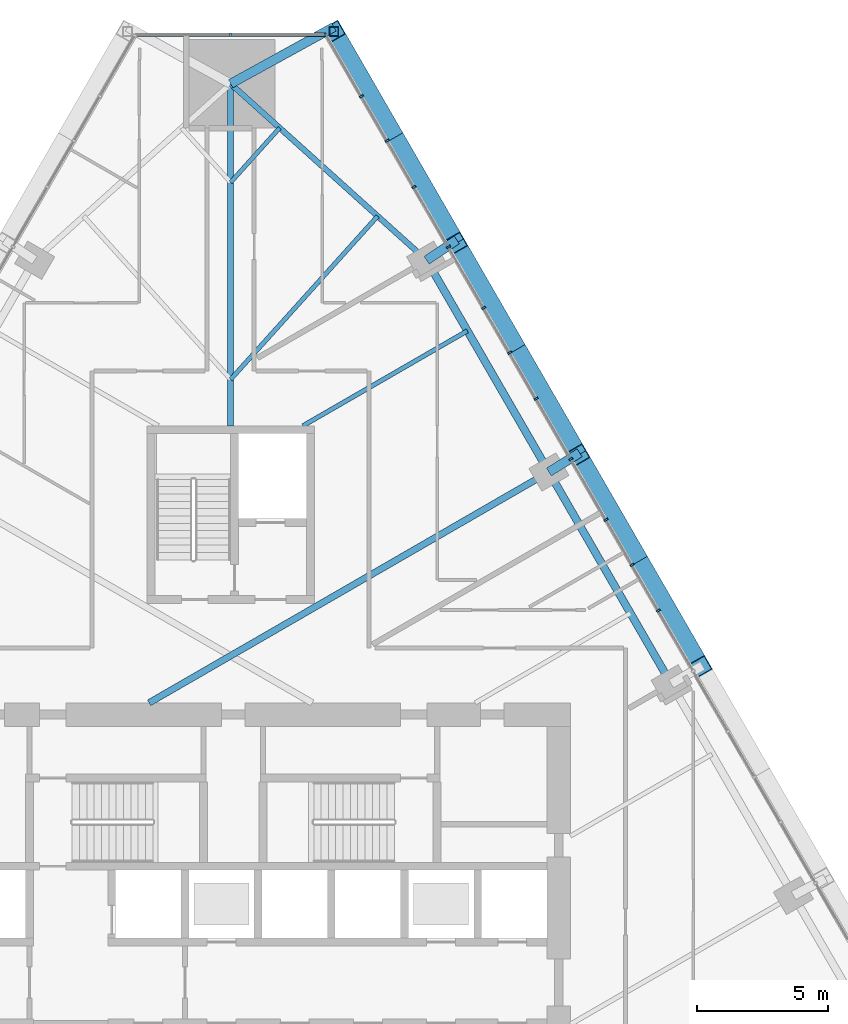
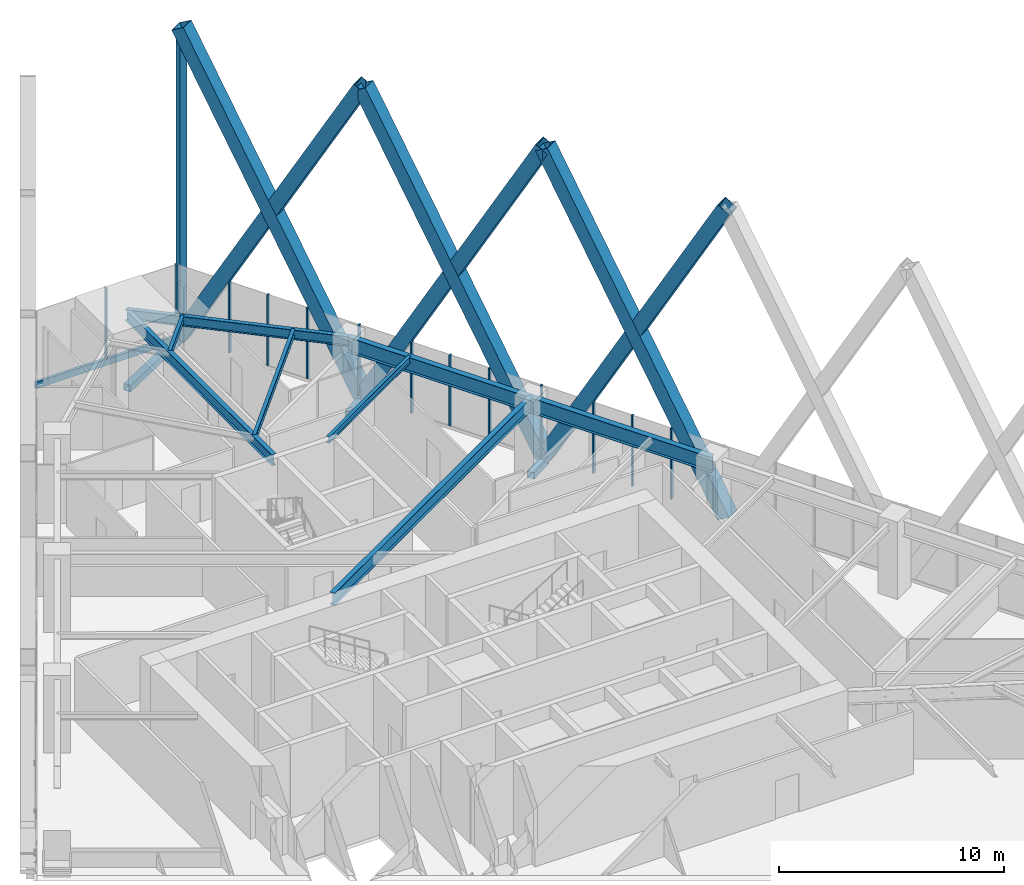
# One storey, part 11 of 21: 24 members, 7 beams, 2 elements without a shape of their own.
"""IFC4 building model written with IfcOpenShell, lengths in metres."""

from ifc_helpers import new_model, si_unit, direction, frame, origin, origin_2d, place, context, subcontext, project, spatial, rectangle, hollow_rectangle, i_section, extrude, material, layer, layer_set, material_profile, profile_set, type_object, element, aggregate, save


model = new_model("IFC4")

# Units and contexts
model_context = context("Model", 3, precision=1e-05, world=origin(), true_north=direction((0.0, 1.0)))
body_context = subcontext(model_context, "Body", "Model", "MODEL_VIEW")
ifc_project = project(units=[si_unit("LENGTHUNIT", "METRE"), si_unit("AREAUNIT", "SQUARE_METRE"), si_unit("VOLUMEUNIT", "CUBIC_METRE"), si_unit("PLANEANGLEUNIT", "RADIAN"), si_unit("MASSUNIT", "GRAM", prefix="KILO")], contexts=[model_context])

# Site, building, storey
site_placement = place(None, origin())
site = spatial("IfcSite", under=ifc_project, at=site_placement, CompositionType="ELEMENT")
building_placement = place(site_placement, origin())
building = spatial("IfcBuilding", under=site, at=building_placement, Name="Firuza Gate Tower and Library", CompositionType="ELEMENT")
storey_placement = place(building_placement, frame((0.0, 0.0, 107.199951171875)))
storey = spatial("IfcBuildingStorey", under=building, at=storey_placement, Name="L24", CompositionType="ELEMENT", Elevation=107.199951171875)

# Members
ifc_material_1 = material(Name="Steel S355", Category="steel")
ifc_material_profile_1 = material_profile(ifc_material_1, hollow_rectangle(XDim=0.699951171875, YDim=0.699951171875, WallThickness=0.030029296875, at=origin_2d()))
ifc_profile_set_1 = profile_set([ifc_material_profile_1], Name="Steel S355")
member_type_1 = type_object("IfcMemberType", Name="BU700x700x30 Lattice brace", PredefinedType="BRACE", material=ifc_profile_set_1)
for number, where, z_axis, x_axis, name in (
    (1, (92.977783203125, 85.37939453125, 0.0), (-0.243242058194, 0.421299612433, 0.873693274376), (-0.866021297244, -0.500007112669, 0.0), "Lattice brace E 5.4R"),
    (2, (88.300537109375, 93.48046875, 0.0), (0.243242058194, -0.421299612433, 0.873693274376), (0.866021297244, 0.500007112669, 0.0), "Lattice brace E 5.4L"),
):
    element("IfcMember", number, at=place(storey_placement, frame(where, z_axis=z_axis, x_axis=x_axis)), inside=storey, type_object=member_type_1, Name=name, PredefinedType="BRACE", context=body_context, shape_type="SweptSolid", body=[
        extrude(hollow_rectangle(XDim=0.699951171875, YDim=0.699951171875, WallThickness=0.030029296875, at=origin_2d()), origin(), (0.0, 0.0, 1.0), 19.228759765625),
    ])
for number, where, z_axis, x_axis, name in (
    (3, (88.300537109375, 93.48046875, 0.0), (-0.243231413783, 0.421290470362, 0.873700646063), (-0.866026073768, -0.499998839552, 0.0), "Lattice brace E 5.5R"),
    (4, (83.62353515625, 101.581298828125, 0.0), (0.243231413783, -0.421290470362, 0.873700646063), (0.866026073768, 0.499998839552, 0.0), "Lattice brace E 5.5L"),
):
    element("IfcMember", number, at=place(storey_placement, frame(where, z_axis=z_axis, x_axis=x_axis)), inside=storey, type_object=member_type_1, Name=name, PredefinedType="BRACE", context=body_context, shape_type="SweptSolid", body=[
        extrude(hollow_rectangle(XDim=0.699951171875, YDim=0.699951171875, WallThickness=0.030029296875, at=origin_2d()), origin(), (0.0, 0.0, 1.0), 19.228515625),
    ])
for number, where, z_axis, x_axis, name in (
    (5, (83.62353515625, 101.581298828125, 0.0), (-0.243242058194, 0.421299612433, 0.873693274376), (-0.866021297244, -0.500007112669, 0.0), "Lattice brace E 5.6R"),
    (6, (78.9462890625, 109.682373046875, 0.0), (0.243242058194, -0.421299612433, 0.873693274376), (0.866021297244, 0.500007112669, 0.0), "Lattice brace E 5.6L"),
):
    element("IfcMember", number, at=place(storey_placement, frame(where, z_axis=z_axis, x_axis=x_axis)), inside=storey, type_object=member_type_1, Name=name, PredefinedType="BRACE", context=body_context, shape_type="SweptSolid", body=[
        extrude(hollow_rectangle(XDim=0.699951171875, YDim=0.699951171875, WallThickness=0.030029296875, at=origin_2d()), origin(), (0.0, 0.0, 1.0), 19.228759765625),
    ])

# Curtain wall, members
ifc_material_2 = material(Name="Aluminium 6063-T6", Category="aluminium")
ifc_layer_1 = layer(ifc_material_2, 0.14990234375)
ifc_layer_set_1 = layer_set([ifc_layer_1], Name="Unitised curtain wall, offices")
curtain_wall_type_1 = type_object("IfcCurtainWallType", Name="Unitised curtain wall, offices", PredefinedType="NOTDEFINED", material=ifc_layer_set_1)
placement = place(storey_placement, origin())
curtain_wall_1 = element("IfcCurtainWall", 7, at=placement, inside=storey, type_object=curtain_wall_type_1, Name="CW1 L24 E face", PredefinedType="NOTDEFINED")
ifc_material_3 = material(Name="Aluminium 6063-T6", Category="aluminium")
ifc_material_profile_2 = material_profile(ifc_material_3, rectangle(XDim=0.14990234375, YDim=0.080078125, at=origin_2d()))
ifc_profile_set_2 = profile_set([ifc_material_profile_2], Name="Aluminium 6063-T6")
member_type_2 = type_object("IfcMemberType", Name="Curtain wall mullion 80x150", PredefinedType="MULLION", material=ifc_profile_set_2)
member_1_placement = place(storey_placement, frame((90.35400390625, 89.273681640625, 0.150146484375), z_axis=(0.0, 0.0, 1.0), x_axis=(-0.866025403784, -0.5, 0.0)))
member_1 = element("IfcMember", 8, at=member_1_placement, type_object=member_type_2, Name="Mullion", PredefinedType="MULLION", context=body_context, shape_type="SweptSolid", body=[
    extrude(rectangle(XDim=0.14990234375, YDim=0.080078125, at=origin_2d()), origin(), (0.0, 0.0, 1.0), 3.849853515625),
])
member_2_placement = place(storey_placement, frame((88.011962890625, 93.330322265625, 0.150146484375), z_axis=(0.0, 0.0, 1.0), x_axis=(-0.866025403784, -0.5, 0.0)))
member_2 = element("IfcMember", 9, at=member_2_placement, type_object=member_type_2, Name="Mullion", PredefinedType="MULLION", context=body_context, shape_type="SweptSolid", body=[
    extrude(rectangle(XDim=0.14990234375, YDim=0.080078125, at=origin_2d()), origin(), (0.0, 0.0, 1.0), 3.849853515625),
])
member_3_placement = place(storey_placement, frame((85.669677734375, 97.38720703125, 0.150146484375), z_axis=(0.0, 0.0, 1.0), x_axis=(-0.866025403784, -0.5, 0.0)))
member_3 = element("IfcMember", 10, at=member_3_placement, type_object=member_type_2, Name="Mullion", PredefinedType="MULLION", context=body_context, shape_type="SweptSolid", body=[
    extrude(rectangle(XDim=0.14990234375, YDim=0.080078125, at=origin_2d()), origin(), (0.0, 0.0, 1.0), 3.849853515625),
])
member_4_placement = place(storey_placement, frame((83.32763671875, 101.44384765625, 0.150146484375), z_axis=(0.0, 0.0, 1.0), x_axis=(-0.866025403784, -0.5, 0.0)))
member_4 = element("IfcMember", 11, at=member_4_placement, type_object=member_type_2, Name="Mullion", PredefinedType="MULLION", context=body_context, shape_type="SweptSolid", body=[
    extrude(rectangle(XDim=0.14990234375, YDim=0.080078125, at=origin_2d()), origin(), (0.0, 0.0, 1.0), 3.849853515625),
])
member_5_placement = place(storey_placement, frame((80.9853515625, 105.500732421875, 0.150146484375), z_axis=(0.0, 0.0, 1.0), x_axis=(-0.866025403784, -0.5, 0.0)))
member_5 = element("IfcMember", 12, at=member_5_placement, type_object=member_type_2, Name="Mullion", PredefinedType="MULLION", context=body_context, shape_type="SweptSolid", body=[
    extrude(rectangle(XDim=0.14990234375, YDim=0.080078125, at=origin_2d()), origin(), (0.0, 0.0, 1.0), 3.849853515625),
])
member_6_placement = place(storey_placement, frame((91.35986328125, 87.53173828125, 0.150146484375), z_axis=(0.0, 0.0, 1.0), x_axis=(-0.866025403784, -0.5, 0.0)))
member_6 = element("IfcMember", 13, at=member_6_placement, type_object=member_type_2, Name="Mullion", PredefinedType="MULLION", context=body_context, shape_type="SweptSolid", body=[
    extrude(rectangle(XDim=0.14990234375, YDim=0.080078125, at=origin_2d()), origin(), (0.0, 0.0, 1.0), 3.849853515625),
])
member_7_placement = place(storey_placement, frame((89.35546875, 91.003173828125, 0.150146484375), z_axis=(0.0, 0.0, 1.0), x_axis=(-0.866025403784, -0.5, 0.0)))
member_7 = element("IfcMember", 14, at=member_7_placement, type_object=member_type_2, Name="Mullion", PredefinedType="MULLION", context=body_context, shape_type="SweptSolid", body=[
    extrude(rectangle(XDim=0.14990234375, YDim=0.080078125, at=origin_2d()), origin(), (0.0, 0.0, 1.0), 3.849853515625),
])
member_8_placement = place(storey_placement, frame((86.682861328125, 95.632568359375, 0.150146484375), z_axis=(0.0, 0.0, 1.0), x_axis=(-0.866025403784, -0.5, 0.0)))
member_8 = element("IfcMember", 15, at=member_8_placement, type_object=member_type_2, Name="Mullion", PredefinedType="MULLION", context=body_context, shape_type="SweptSolid", body=[
    extrude(rectangle(XDim=0.14990234375, YDim=0.080078125, at=origin_2d()), origin(), (0.0, 0.0, 1.0), 3.849853515625),
])
member_9_placement = place(storey_placement, frame((84.678466796875, 99.104248046875, 0.150146484375), z_axis=(0.0, 0.0, 1.0), x_axis=(-0.866025403784, -0.5, 0.0)))
member_9 = element("IfcMember", 16, at=member_9_placement, type_object=member_type_2, Name="Mullion", PredefinedType="MULLION", context=body_context, shape_type="SweptSolid", body=[
    extrude(rectangle(XDim=0.14990234375, YDim=0.080078125, at=origin_2d()), origin(), (0.0, 0.0, 1.0), 3.849853515625),
])
member_10_placement = place(storey_placement, frame((82.005615234375, 103.733642578125, 0.150146484375), z_axis=(0.0, 0.0, 1.0), x_axis=(-0.866025403784, -0.5, 0.0)))
member_10 = element("IfcMember", 17, at=member_10_placement, type_object=member_type_2, Name="Mullion", PredefinedType="MULLION", context=body_context, shape_type="SweptSolid", body=[
    extrude(rectangle(XDim=0.14990234375, YDim=0.080078125, at=origin_2d()), origin(), (0.0, 0.0, 1.0), 3.849853515625),
])
member_11_placement = place(storey_placement, frame((80.00146484375, 107.205322265625, 0.150146484375), z_axis=(0.0, 0.0, 1.0), x_axis=(-0.866025403784, -0.5, 0.0)))
member_11 = element("IfcMember", 18, at=member_11_placement, type_object=member_type_2, Name="Mullion", PredefinedType="MULLION", context=body_context, shape_type="SweptSolid", body=[
    extrude(rectangle(XDim=0.14990234375, YDim=0.080078125, at=origin_2d()), origin(), (0.0, 0.0, 1.0), 3.849853515625),
])
aggregate(curtain_wall_1, [member_1, member_2, member_3, member_4, member_5, member_6, member_7, member_8, member_9, member_10, member_11])

ifc_material_4 = material(Name="Aluminium 6063-T6", Category="aluminium")
ifc_layer_2 = layer(ifc_material_4, 0.14990234375)
ifc_layer_set_2 = layer_set([ifc_layer_2], Name="Corner curtain wall, chamfers")
curtain_wall_type_2 = type_object("IfcCurtainWallType", Name="Corner curtain wall, chamfers", PredefinedType="NOTDEFINED", material=ifc_layer_set_2)
curtain_wall_2 = element("IfcCurtainWall", 19, at=placement, inside=storey, type_object=curtain_wall_type_2, Name="CW4 L24 N corner", PredefinedType="NOTDEFINED")
member_12_placement = place(storey_placement, frame((78.603271484375, 109.557373046875, 0.150146484375), z_axis=(0.0, 0.0, 1.0), x_axis=(0.0, -1.0, 0.0)))
member_12 = element("IfcMember", 20, at=member_12_placement, type_object=member_type_2, Name="Mullion", PredefinedType="MULLION", context=body_context, shape_type="SweptSolid", body=[
    extrude(rectangle(XDim=0.14990234375, YDim=0.080078125, at=origin_2d()), origin(), (0.0, 0.0, 1.0), 3.849853515625),
])
member_13_placement = place(storey_placement, frame((75.0, 109.557373046875, 0.150146484375), z_axis=(0.0, 0.0, 1.0), x_axis=(0.0, -1.0, 0.0)))
member_13 = element("IfcMember", 21, at=member_13_placement, type_object=member_type_2, Name="Mullion", PredefinedType="MULLION", context=body_context, shape_type="SweptSolid", body=[
    extrude(rectangle(XDim=0.14990234375, YDim=0.080078125, at=origin_2d()), origin(), (0.0, 0.0, 1.0), 3.849853515625),
])
ifc_material_5 = material(Name="Aluminium 6063-T6", Category="aluminium")
ifc_material_profile_3 = material_profile(ifc_material_5, rectangle(XDim=0.14990234375, YDim=0.35009765625, at=origin_2d()))
ifc_profile_set_3 = profile_set([ifc_material_profile_3], Name="Aluminium 6063-T6")
member_type_3 = type_object("IfcMemberType", Name="Curtain wall transom 350x150", PredefinedType="USERDEFINED", material=ifc_profile_set_3)
member_14_placement = place(storey_placement, frame((78.643310546875, 109.557373046875, -0.02490234375), z_axis=(-1.0, 0.0, 0.0), x_axis=(0.0, -1.0, 0.0)))
member_14 = element("IfcMember", 22, at=member_14_placement, type_object=member_type_3, Name="Transom", ObjectType="TRANSOM", PredefinedType="USERDEFINED", context=body_context, shape_type="SweptSolid", body=[
    extrude(rectangle(XDim=0.14990234375, YDim=0.35009765625, at=origin_2d()), origin(), (0.0, 0.0, 1.0), 7.28662109375),
])
aggregate(curtain_wall_2, [member_12, member_13, member_14])

# Members
ifc_material_6 = material(Name="Steel S355", Category="steel")
ifc_material_profile_4 = material_profile(ifc_material_6, hollow_rectangle(XDim=0.355712890625, YDim=0.355712890625, WallThickness=0.014892578125, at=origin_2d()))
ifc_profile_set_4 = profile_set([ifc_material_profile_4], Name="Steel S355")
member_type_4 = type_object("IfcMemberType", Name="HSS356x356x16 Lattice corner stile", PredefinedType="BRACE", material=ifc_profile_set_4)
member_15_placement = place(storey_placement, frame((78.9462890625, 109.682373046875, -0.139892578125), z_axis=(0.0, 0.0, 1.0), x_axis=(1.0, 0.0, 0.0)))
element("IfcMember", 23, at=member_15_placement, inside=storey, type_object=member_type_4, Name="Lattice corner stile E 5.B", PredefinedType="BRACE", context=body_context, shape_type="SweptSolid", body=[
    extrude(hollow_rectangle(XDim=0.355712890625, YDim=0.355712890625, WallThickness=0.014892578125, at=origin_2d()), origin(), (0.0, 0.0, 1.0), 16.43994140625),
])
ifc_material_7 = material(Name="Steel S355", Category="steel")
ifc_material_profile_5 = material_profile(ifc_material_7, hollow_rectangle(XDim=0.355712890625, YDim=0.355712890625, WallThickness=0.014892578125, at=origin_2d()))
ifc_profile_set_5 = profile_set([ifc_material_profile_5], Name="Steel S355")
member_type_5 = type_object("IfcMemberType", Name="HSS356x356x16 Lattice node tie", PredefinedType="BRACE", material=ifc_profile_set_5)
member_16_placement = place(storey_placement, frame((75.0, 107.682373046875, -0.320068359375), z_axis=(0.876220486676, 0.481910426043, 0.0), x_axis=(-0.481910426043, 0.876220486676, 0.0)))
element("IfcMember", 24, at=member_16_placement, inside=storey, type_object=member_type_5, Name="Lattice node tie E L24 85", PredefinedType="BRACE", context=body_context, shape_type="SweptSolid", body=[
    extrude(hollow_rectangle(XDim=0.355712890625, YDim=0.355712890625, WallThickness=0.014892578125, at=origin_2d()), origin(), (0.0, 0.0, 1.0), 4.503662109375),
])
member_17_placement = place(storey_placement, frame((82.497802734375, 100.931396484375, -0.320068359375), z_axis=(0.828408179882, 0.560124885633, 0.0), x_axis=(-0.560124885633, 0.828408179882, 0.0)))
element("IfcMember", 25, at=member_17_placement, inside=storey, type_object=member_type_5, Name="Lattice node tie E L24 86", PredefinedType="BRACE", context=body_context, shape_type="SweptSolid", body=[
    extrude(hollow_rectangle(XDim=0.355712890625, YDim=0.355712890625, WallThickness=0.014892578125, at=origin_2d()), origin(), (0.0, 0.0, 1.0), 1.388671875),
])
member_18_placement = place(storey_placement, frame((87.1748046875, 92.830322265625, -0.320068359375), z_axis=(0.847691426785, 0.530489627566, 0.0), x_axis=(-0.530489627566, 0.847691426785, 0.0)))
element("IfcMember", 26, at=member_18_placement, inside=storey, type_object=member_type_5, Name="Lattice node tie E L24 87", PredefinedType="BRACE", context=body_context, shape_type="SweptSolid", body=[
    extrude(hollow_rectangle(XDim=0.355712890625, YDim=0.355712890625, WallThickness=0.014892578125, at=origin_2d()), origin(), (0.0, 0.0, 1.0), 1.38623046875),
])

# Beams
ifc_material_8 = material(Name="Steel S355", Category="steel")
ifc_material_profile_6 = material_profile(ifc_material_8, i_section(OverallWidth=0.1650390625, OverallDepth=0.31005859375, WebThickness=0.005859375, FlangeThickness=0.009765625, at=origin_2d()))
ifc_profile_set_6 = profile_set([ifc_material_profile_6], Name="Steel S355")
beam_type_1 = type_object("IfcBeamType", Name="W310x39 Floor beam", PredefinedType="JOIST", material=ifc_profile_set_6)
beam_1_placement = place(storey_placement, frame((76.87451171875, 105.99462890625, 3.844970703125), z_axis=(-0.669142865717, -0.743133786919, 0.0), x_axis=(0.743133786919, -0.669142865717, 0.0)))
element("IfcBeam", 27, at=beam_1_placement, inside=storey, type_object=beam_type_1, Name="Floor beam L24 s61", PredefinedType="JOIST", context=body_context, shape_type="SweptSolid", body=[
    extrude(i_section(OverallWidth=0.1650390625, OverallDepth=0.31005859375, WebThickness=0.005859375, FlangeThickness=0.009765625, at=origin_2d()), origin(), (0.0, 0.0, 1.0), 2.80126953125),
])
ifc_material_9 = material(Name="Steel S355", Category="steel")
ifc_material_profile_7 = material_profile(ifc_material_9, i_section(OverallWidth=0.1708984375, OverallDepth=0.35498046875, WebThickness=0.007080078125, FlangeThickness=0.01171875, at=origin_2d()))
ifc_profile_set_7 = profile_set([ifc_material_profile_7], Name="Steel S355")
beam_type_2 = type_object("IfcBeamType", Name="W360x51 Floor beam", PredefinedType="JOIST", material=ifc_profile_set_7)
beam_2_placement = place(storey_placement, frame((84.056640625, 98.231201171875, 3.822509765625), z_axis=(-0.866018750047, -0.500011524435, 0.0), x_axis=(0.500011524435, -0.866018750047, 0.0)))
element("IfcBeam", 28, at=beam_2_placement, inside=storey, type_object=beam_type_2, Name="Floor beam L24 s55", PredefinedType="JOIST", context=body_context, shape_type="SweptSolid", body=[
    extrude(i_section(OverallWidth=0.1708984375, OverallDepth=0.35498046875, WebThickness=0.007080078125, FlangeThickness=0.01171875, at=origin_2d()), origin(), (0.0, 0.0, 1.0), 7.261962890625),
])
beam_3_placement = place(storey_placement, frame((80.623291015625, 102.619140625, 3.822509765625), z_axis=(-0.669141268318, -0.743135225267, 0.0), x_axis=(0.743135225267, -0.669141268318, 0.0)))
element("IfcBeam", 29, at=beam_3_placement, inside=storey, type_object=beam_type_2, Name="Floor beam L24 s60", PredefinedType="JOIST", context=body_context, shape_type="SweptSolid", body=[
    extrude(i_section(OverallWidth=0.1708984375, OverallDepth=0.35498046875, WebThickness=0.007080078125, FlangeThickness=0.01171875, at=origin_2d()), origin(), (0.0, 0.0, 1.0), 8.40380859375),
])
ifc_material_10 = material(Name="Steel S355", Category="steel")
ifc_material_profile_8 = material_profile(ifc_material_10, i_section(OverallWidth=0.212890625, OverallDepth=0.5390625, WebThickness=0.01171875, FlangeThickness=0.018798828125, at=origin_2d()))
ifc_profile_set_8 = profile_set([ifc_material_profile_8], Name="Steel S355")
beam_type_3 = type_object("IfcBeamType", Name="W530x109 Edge beam", PredefinedType="SPANDREL", material=ifc_profile_set_8)
beam_4_placement = place(storey_placement, frame((82.497802734375, 100.931396484375, 3.73046875), z_axis=(-0.743148538836, 0.669126482234, 0.0), x_axis=(-0.669126482234, -0.743148538836, 0.0)))
element("IfcBeam", 30, at=beam_4_placement, inside=storey, type_object=beam_type_3, Name="Edge beam L24 e60", PredefinedType="SPANDREL", context=body_context, shape_type="SweptSolid", body=[
    extrude(i_section(OverallWidth=0.212890625, OverallDepth=0.5390625, WebThickness=0.01171875, FlangeThickness=0.018798828125, at=origin_2d()), origin(), (0.0, 0.0, 1.0), 10.08935546875),
])
ifc_material_11 = material(Name="Steel S355", Category="steel")
ifc_material_profile_9 = material_profile(ifc_material_11, i_section(OverallWidth=0.22802734375, OverallDepth=0.60302734375, WebThickness=0.010498046875, FlangeThickness=0.014892578125, at=origin_2d()))
ifc_profile_set_9 = profile_set([ifc_material_profile_9], Name="Steel S355")
beam_type_4 = type_object("IfcBeamType", Name="W610x101 Girder", PredefinedType="BEAM", material=ifc_profile_set_9)
beam_5_placement = place(storey_placement, frame((75.0, 107.682373046875, 3.698486328125), z_axis=(0.0, -1.0, 0.0), x_axis=(1.0, 0.0, 0.0)))
element("IfcBeam", 31, at=beam_5_placement, inside=storey, type_object=beam_type_4, Name="Girder L24 gN", PredefinedType="BEAM", context=body_context, shape_type="SweptSolid", body=[
    extrude(i_section(OverallWidth=0.22802734375, OverallDepth=0.60302734375, WebThickness=0.010498046875, FlangeThickness=0.014892578125, at=origin_2d()), origin(), (0.0, 0.0, 1.0), 13.082275390625),
])
ifc_material_12 = material(Name="Steel S355", Category="steel")
ifc_material_profile_10 = material_profile(ifc_material_12, i_section(OverallWidth=0.2529296875, OverallDepth=0.677978515625, WebThickness=0.01171875, FlangeThickness=0.016357421875, at=origin_2d()))
ifc_profile_set_10 = profile_set([ifc_material_profile_10], Name="Steel S355")
beam_type_5 = type_object("IfcBeamType", Name="W690x125 Floor beam", PredefinedType="JOIST", material=ifc_profile_set_10)
beam_6_placement = place(storey_placement, frame((87.1748046875, 92.830322265625, 3.6611328125), z_axis=(-0.866026973973, -0.499997280343, 0.0), x_axis=(0.499997280343, -0.866026973973, 0.0)))
element("IfcBeam", 32, at=beam_6_placement, inside=storey, type_object=beam_type_5, Name="Floor beam L24 s54", PredefinedType="JOIST", context=body_context, shape_type="SweptSolid", body=[
    extrude(i_section(OverallWidth=0.2529296875, OverallDepth=0.677978515625, WebThickness=0.01171875, FlangeThickness=0.016357421875, at=origin_2d()), origin(), (0.0, 0.0, 1.0), 17.66064453125),
])
ifc_material_13 = material(Name="Steel S355", Category="steel")
ifc_material_profile_11 = material_profile(ifc_material_13, i_section(OverallWidth=0.2919921875, OverallDepth=0.8349609375, WebThickness=0.013916015625, FlangeThickness=0.018798828125, at=origin_2d()))
ifc_profile_set_11 = profile_set([ifc_material_profile_11], Name="Steel S355")
beam_type_6 = type_object("IfcBeamType", Name="W840x176 Edge beam", PredefinedType="SPANDREL", material=ifc_profile_set_11)
beam_7_placement = place(storey_placement, frame((91.851806640625, 84.7294921875, 3.58251953125), z_axis=(-0.499993188785, 0.866029336205, 0.0), x_axis=(-0.866029336205, -0.499993188785, 0.0)))
element("IfcBeam", 33, at=beam_7_placement, inside=storey, type_object=beam_type_6, Name="Edge beam L24 e52", PredefinedType="SPANDREL", context=body_context, shape_type="SweptSolid", body=[
    extrude(i_section(OverallWidth=0.2919921875, OverallDepth=0.8349609375, WebThickness=0.013916015625, FlangeThickness=0.018798828125, at=origin_2d()), origin(), (0.0, 0.0, 1.0), 18.708251953125),
])

save(model, "model.ifc")
